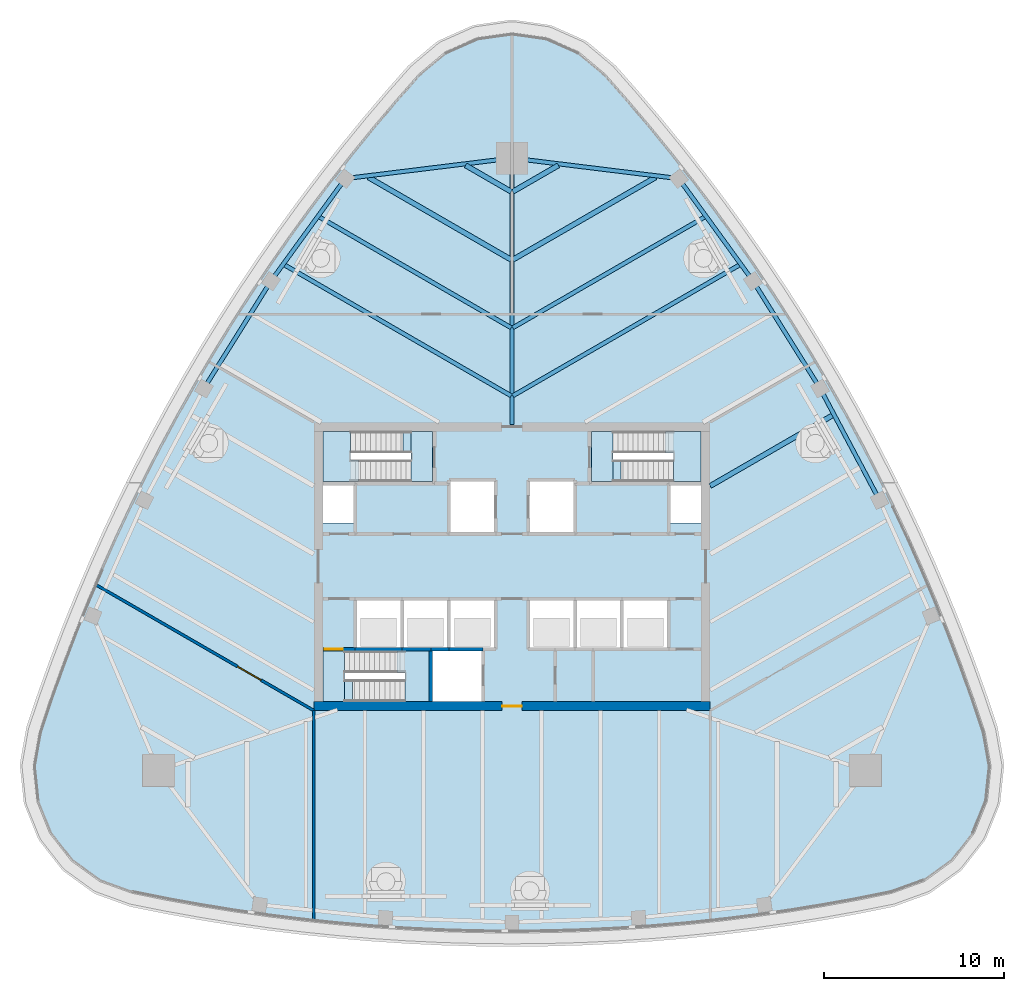
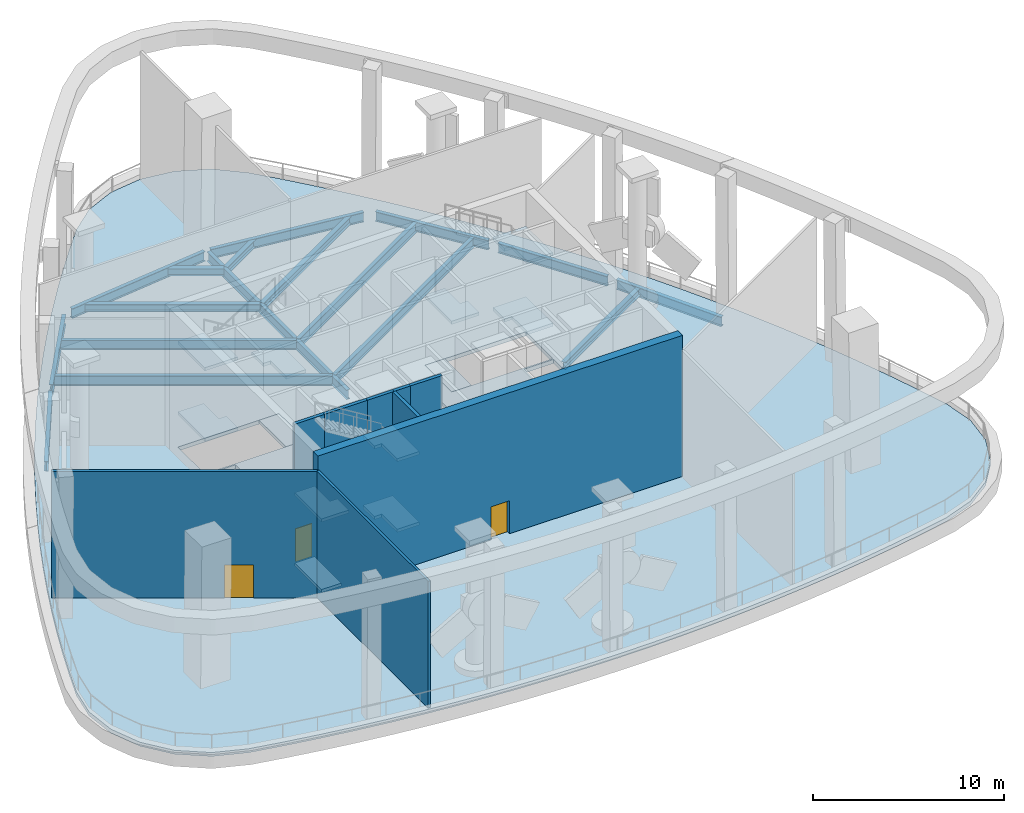
# One storey, part 2 of 12: 17 beams, 13 slabs, 9 walls, 3 doors, 3 openings, 3 elements without a shape of their own.
"""IFC4 building model written with IfcOpenShell, lengths in metres."""

from ifc_helpers import new_model, si_unit, direction, frame, frame_2d, origin, origin_2d, place, context, subcontext, project, spatial, polyline, rectangle, i_section, outline, extrude, material, layer, layer_set, material_profile, profile_set, type_object, element, fill, aggregate, save


model = new_model("IFC4")

# Units and contexts
model_context = context("Model", 3, precision=1e-05, world=origin(), true_north=direction((0.0, 1.0)))
body_context = subcontext(model_context, "Body", "Model", "MODEL_VIEW")
ifc_project = project(units=[si_unit("LENGTHUNIT", "METRE"), si_unit("AREAUNIT", "SQUARE_METRE"), si_unit("VOLUMEUNIT", "CUBIC_METRE"), si_unit("PLANEANGLEUNIT", "RADIAN"), si_unit("MASSUNIT", "GRAM", prefix="KILO")], contexts=[model_context])

# Site, building, storey
site_placement = place(None, origin())
site = spatial("IfcSite", under=ifc_project, at=site_placement, CompositionType="ELEMENT")
building_placement = place(site_placement, origin())
building = spatial("IfcBuilding", under=site, at=building_placement, Name="Sierra Prisma Convention Tower", CompositionType="ELEMENT")
storey_placement = place(building_placement, frame((0.0, 0.0, 330.39990234375)))
storey = spatial("IfcBuildingStorey", under=building, at=storey_placement, Name="L75", CompositionType="ELEMENT", Elevation=330.39990234375)

# Beams
ifc_material_1 = material(Name="Steel ASTM A992 Gr 50", Category="steel")
ifc_material_profile_1 = material_profile(ifc_material_1, i_section(OverallWidth=0.280029296875, OverallDepth=0.462890625, WebThickness=0.0107421875, FlangeThickness=0.017333984375, at=origin_2d()), Name="W460x113")
ifc_profile_set_1 = profile_set([ifc_material_profile_1], Name="Steel ASTM A992 Gr 50")
beam_type_1 = type_object("IfcBeamType", Name="Plant floor joist W460x113", PredefinedType="JOIST", material=ifc_profile_set_1)
beam_1_placement = place(storey_placement, frame((17.8125, 8.395751953125, -0.4814453125), z_axis=(-0.866017097294, -0.500014386988, 0.0), x_axis=(0.500014386988, -0.866017097294, 0.0)))
element("IfcBeam", 1, at=beam_1_placement, inside=storey, type_object=beam_type_1, Name="Floor joist L75 NE06", PredefinedType="JOIST", context=body_context, shape_type="SweptSolid", body=[
    extrude(i_section(OverallWidth=0.280029296875, OverallDepth=0.462890625, WebThickness=0.0107421875, FlangeThickness=0.017333984375, at=origin_2d()), origin(), (0.0, 0.0, 1.0), 7.866455078125),
])
beam_2_placement = place(storey_placement, frame((7.96875, 21.595947265625, -0.4814453125), z_axis=(-0.866022495181, -0.500005037815, 0.0), x_axis=(0.500005037815, -0.866022495181, 0.0)))
element("IfcBeam", 2, at=beam_2_placement, inside=storey, type_object=beam_type_1, Name="Floor joist L75 NE11", PredefinedType="JOIST", context=body_context, shape_type="SweptSolid", body=[
    extrude(i_section(OverallWidth=0.280029296875, OverallDepth=0.462890625, WebThickness=0.0107421875, FlangeThickness=0.017333984375, at=origin_2d()), origin(), (0.0, 0.0, 1.0), 9.14892578125),
])
for number, where, z_axis, x_axis, name in (
    (3, (2.57470703125, 22.258544921875, -0.4814453125), (-0.866017129727, -0.500014330814, 0.0), (0.500014330814, -0.866017129727, 0.0), "Floor joist L75 NE12"),
    (4, (-2.57470703125, 22.258544921875, -0.4814453125), (0.866017129727, -0.500014330814, 0.0), (0.500014330814, 0.866017129727, 0.0), "Floor joist L75 NW01"),
):
    element("IfcBeam", number, at=place(storey_placement, frame(where, z_axis=z_axis, x_axis=x_axis)), inside=storey, type_object=beam_type_1, Name=name, PredefinedType="JOIST", context=body_context, shape_type="SweptSolid", body=[
        extrude(i_section(OverallWidth=0.280029296875, OverallDepth=0.462890625, WebThickness=0.0107421875, FlangeThickness=0.017333984375, at=origin_2d()), origin(), (0.0, 0.0, 1.0), 2.92041015625),
    ])
beam_3_placement = place(storey_placement, frame((-7.96875, 21.595947265625, -0.4814453125), z_axis=(0.866022495181, -0.500005037815, 0.0), x_axis=(0.500005037815, 0.866022495181, 0.0)))
element("IfcBeam", 5, at=beam_3_placement, inside=storey, type_object=beam_type_1, Name="Floor joist L75 NW02", PredefinedType="JOIST", context=body_context, shape_type="SweptSolid", body=[
    extrude(i_section(OverallWidth=0.280029296875, OverallDepth=0.462890625, WebThickness=0.0107421875, FlangeThickness=0.017333984375, at=origin_2d()), origin(), (0.0, 0.0, 1.0), 9.14892578125),
])
ifc_material_2 = material(Name="Steel ASTM A992 Gr 50", Category="steel")
ifc_material_profile_2 = material_profile(ifc_material_2, i_section(OverallWidth=0.22900390625, OverallDepth=0.612060546875, WebThickness=0.011962890625, FlangeThickness=0.01953125, at=origin_2d()), Name="W610x125")
ifc_profile_set_2 = profile_set([ifc_material_profile_2], Name="Steel ASTM A992 Gr 50")
beam_type_2 = type_object("IfcBeamType", Name="Plant floor joist W610x125", PredefinedType="JOIST", material=ifc_profile_set_2)
beam_4_placement = place(storey_placement, frame((12.640625, 16.73974609375, -0.555908203125), z_axis=(-0.866024844342, -0.500000968981, 0.0), x_axis=(0.500000968981, -0.866024844342, 0.0)))
element("IfcBeam", 6, at=beam_4_placement, inside=storey, type_object=beam_type_2, Name="Floor joist L75 NE09", PredefinedType="JOIST", context=body_context, shape_type="SweptSolid", body=[
    extrude(i_section(OverallWidth=0.22900390625, OverallDepth=0.612060546875, WebThickness=0.011962890625, FlangeThickness=0.01953125, at=origin_2d()), origin(), (0.0, 0.0, 1.0), 14.54345703125),
])
for number, where, z_axis, x_axis, name in (
    (7, (10.710205078125, 19.402099609375, -0.555908203125), (-0.866023810954, -0.500002758854, 0.0), (0.500002758854, -0.866023810954, 0.0), "Floor joist L75 NE10"),
    (8, (-10.710205078125, 19.402099609375, -0.555908203125), (0.866023810954, -0.500002758854, 0.0), (0.500002758854, 0.866023810954, 0.0), "Floor joist L75 NW03"),
):
    element("IfcBeam", number, at=place(storey_placement, frame(where, z_axis=z_axis, x_axis=x_axis)), inside=storey, type_object=beam_type_2, Name=name, PredefinedType="JOIST", context=body_context, shape_type="SweptSolid", body=[
        extrude(i_section(OverallWidth=0.22900390625, OverallDepth=0.612060546875, WebThickness=0.011962890625, FlangeThickness=0.01953125, at=origin_2d()), origin(), (0.0, 0.0, 1.0), 12.314453125),
    ])
beam_5_placement = place(storey_placement, frame((-12.640625, 16.73974609375, -0.555908203125), z_axis=(0.866024844342, -0.500000968981, 0.0), x_axis=(0.500000968981, 0.866024844342, 0.0)))
element("IfcBeam", 9, at=beam_5_placement, inside=storey, type_object=beam_type_2, Name="Floor joist L75 NW04", PredefinedType="JOIST", context=body_context, shape_type="SweptSolid", body=[
    extrude(i_section(OverallWidth=0.22900390625, OverallDepth=0.612060546875, WebThickness=0.011962890625, FlangeThickness=0.01953125, at=origin_2d()), origin(), (0.0, 0.0, 1.0), 14.54345703125),
])
ifc_material_3 = material(Name="Steel ASTM A992 Gr 50", Category="steel")
ifc_material_profile_3 = material_profile(ifc_material_3, i_section(OverallWidth=0.22802734375, OverallDepth=0.60302734375, WebThickness=0.010498046875, FlangeThickness=0.014892578125, at=origin_2d()), Name="W610x101")
ifc_profile_set_3 = profile_set([ifc_material_profile_3], Name="Steel ASTM A992 Gr 50")
beam_type_3 = type_object("IfcBeamType", Name="Radial girder W610x101", PredefinedType="BEAM", material=ifc_profile_set_3)
beam_6_placement = place(storey_placement, frame((0.0, 22.480224609375, -0.551513671875), z_axis=(0.0, -1.0, 0.0), x_axis=(1.0, 0.0, 0.0)))
element("IfcBeam", 10, at=beam_6_placement, inside=storey, type_object=beam_type_3, Name="Radial girder L75 N", PredefinedType="BEAM", context=body_context, shape_type="SweptSolid", body=[
    extrude(i_section(OverallWidth=0.22802734375, OverallDepth=0.60302734375, WebThickness=0.010498046875, FlangeThickness=0.014892578125, at=origin_2d()), origin(), (0.0, 0.0, 1.0), 14.600341796875),
])
ifc_material_4 = material(Name="Steel ASTM A992 Gr 50", Category="steel")
ifc_material_profile_4 = material_profile(ifc_material_4, i_section(OverallWidth=0.22998046875, OverallDepth=0.616943359375, WebThickness=0.01318359375, FlangeThickness=0.022216796875, at=origin_2d()), Name="W610x140")
ifc_profile_set_4 = profile_set([ifc_material_profile_4], Name="Steel ASTM A992 Gr 50")
beam_type_4 = type_object("IfcBeamType", Name="Spandrel beam W610x140", PredefinedType="BEAM", material=ifc_profile_set_4)
beam_7_placement = place(storey_placement, frame((20.27001953125, 3.915771484375, -0.558349609375), z_axis=(-0.469733790887, 0.882808113748, 0.0), x_axis=(-0.882808113748, -0.469733790887, 0.0)))
element("IfcBeam", 11, at=beam_7_placement, inside=storey, type_object=beam_type_4, Name="Spandrel L75-09", PredefinedType="BEAM", context=body_context, shape_type="SweptSolid", body=[
    extrude(i_section(OverallWidth=0.22998046875, OverallDepth=0.616943359375, WebThickness=0.01318359375, FlangeThickness=0.022216796875, at=origin_2d()), origin(), (0.0, 0.0, 1.0), 6.4677734375),
])
beam_8_placement = place(storey_placement, frame((16.951904296875, 10.110595703125, -0.558349609375), z_axis=(-0.529679953111, 0.848197587401, 0.0), x_axis=(-0.848197587401, -0.529679953111, 0.0)))
element("IfcBeam", 12, at=beam_8_placement, inside=storey, type_object=beam_type_4, Name="Spandrel L75-10", PredefinedType="BEAM", context=body_context, shape_type="SweptSolid", body=[
    extrude(i_section(OverallWidth=0.22998046875, OverallDepth=0.616943359375, WebThickness=0.01318359375, FlangeThickness=0.022216796875, at=origin_2d()), origin(), (0.0, 0.0, 1.0), 6.467529296875),
])
beam_9_placement = place(storey_placement, frame((13.21337890625, 16.06103515625, -0.558349609375), z_axis=(-0.587039939266, 0.809557971801, 0.0), x_axis=(-0.809557971801, -0.587039939266, 0.0)))
element("IfcBeam", 13, at=beam_9_placement, inside=storey, type_object=beam_type_4, Name="Spandrel L75-11", PredefinedType="BEAM", context=body_context, shape_type="SweptSolid", body=[
    extrude(i_section(OverallWidth=0.22998046875, OverallDepth=0.616943359375, WebThickness=0.01318359375, FlangeThickness=0.022216796875, at=origin_2d()), origin(), (0.0, 0.0, 1.0), 6.4677734375),
])
for number, where, z_axis, x_axis, name in (
    (14, (8.810302734375, 21.578125, -0.558349609375), (-0.992540832888, 0.121912653363, 0.0), (-0.121912653363, -0.992540832888, 0.0), "Spandrel L75-12"),
    (15, (-0.179931640625, 22.63818359375, -0.558349609375), (-0.992540832888, -0.121912653363, 0.0), (0.121912653363, -0.992540832888, 0.0), "Spandrel L75-13"),
):
    element("IfcBeam", number, at=place(storey_placement, frame(where, z_axis=z_axis, x_axis=x_axis)), inside=storey, type_object=beam_type_4, Name=name, PredefinedType="BEAM", context=body_context, shape_type="SweptSolid", body=[
        extrude(i_section(OverallWidth=0.22998046875, OverallDepth=0.616943359375, WebThickness=0.01318359375, FlangeThickness=0.022216796875, at=origin_2d()), origin(), (0.0, 0.0, 1.0), 8.6953125),
    ])
beam_10_placement = place(storey_placement, frame((-9.41650390625, 21.297119140625, -0.558349609375), z_axis=(-0.587039939266, -0.809557971801, 0.0), x_axis=(0.809557971801, -0.587039939266, 0.0)))
element("IfcBeam", 16, at=beam_10_placement, inside=storey, type_object=beam_type_4, Name="Spandrel L75-14", PredefinedType="BEAM", context=body_context, shape_type="SweptSolid", body=[
    extrude(i_section(OverallWidth=0.22998046875, OverallDepth=0.616943359375, WebThickness=0.01318359375, FlangeThickness=0.022216796875, at=origin_2d()), origin(), (0.0, 0.0, 1.0), 6.4677734375),
])
beam_11_placement = place(storey_placement, frame((-13.526123046875, 15.596435546875, -0.558349609375), z_axis=(-0.529679953111, -0.848197587401, 0.0), x_axis=(0.848197587401, -0.529679953111, 0.0)))
element("IfcBeam", 17, at=beam_11_placement, inside=storey, type_object=beam_type_4, Name="Spandrel L75-15", PredefinedType="BEAM", context=body_context, shape_type="SweptSolid", body=[
    extrude(i_section(OverallWidth=0.22998046875, OverallDepth=0.616943359375, WebThickness=0.01318359375, FlangeThickness=0.022216796875, at=origin_2d()), origin(), (0.0, 0.0, 1.0), 6.467529296875),
])

# Slab
ifc_material_5 = material(Name="Concrete C35/45", Category="concrete")
ifc_layer_1 = layer(ifc_material_5, 0.25)
ifc_layer_set_1 = layer_set([ifc_layer_1], Name="Convention floor slab 250")
slab_type_1 = type_object("IfcSlabType", Name="Convention floor slab 250", PredefinedType="FLOOR", material=ifc_layer_set_1)
slab_1_placement = place(storey_placement, frame((0.0, 0.0, -0.25)))
element("IfcSlab", 18, at=slab_1_placement, inside=storey, type_object=slab_type_1, Name="Floor slab L75 floor", PredefinedType="FLOOR", context=body_context, shape_type="SweptSolid", body=[
    extrude(outline(polyline([(-21.06103515625, -18.15185546875), (-19.17041015625, -18.531494140625), (-17.27294921875, -18.87548828125), (-15.369140625, -19.183349609375), (-13.4599609375, -19.455322265625), (-11.546142578125, -19.69140625), (-9.6279296875, -19.89111328125), (-7.70654296875, -20.0546875), (-5.7822265625, -20.181884765625), (-3.85595703125, -20.27294921875), (-1.928466796875, -20.32763671875), (0.0, -20.345703125), (1.928466796875, -20.32763671875), (3.85595703125, -20.27294921875), (5.7822265625, -20.181884765625), (7.70654296875, -20.0546875), (9.6279296875, -19.89111328125), (11.546142578125, -19.69140625), (13.4599609375, -19.455322265625), (15.369140625, -19.183349609375), (17.27294921875, -18.87548828125), (19.17041015625, -18.531494140625), (21.06103515625, -18.15185546875), (22.8896484375, -17.489501953125), (24.464111328125, -16.347900390625), (25.661865234375, -14.81591796875), (26.389892578125, -13.012451171875), (26.59130859375, -11.078125), (26.25048828125, -9.16357421875), (25.634033203125, -7.33642578125), (24.98291015625, -5.52099609375), (24.2978515625, -3.718505859375), (23.578857421875, -1.928955078125), (22.826171875, -0.153564453125), (22.040283203125, 1.607421875), (21.22119140625, 3.353271484375), (20.369384765625, 5.083251953125), (19.48486328125, 6.797119140625), (18.568359375, 8.49365234375), (17.619873046875, 10.1728515625), (16.639892578125, 11.833740234375), (15.62890625, 13.475830078125), (14.5869140625, 15.0986328125), (13.5146484375, 16.701416015625), (12.412109375, 18.28369140625), (11.2802734375, 19.844970703125), (10.118896484375, 21.384521484375), (8.9287109375, 22.90185546875), (7.710205078125, 24.396484375), (6.463623046875, 25.867919921875), (5.189453125, 27.3154296875), (3.70166015625, 28.56787109375), (1.92578125, 29.3603515625), (0.0, 29.631591796875), (-1.92578125, 29.3603515625), (-3.70166015625, 28.56787109375), (-5.189453125, 27.3154296875), (-6.463623046875, 25.867919921875), (-7.710205078125, 24.396484375), (-8.9287109375, 22.90185546875), (-10.118896484375, 21.384521484375), (-11.2802734375, 19.844970703125), (-12.412109375, 18.28369140625), (-13.5146484375, 16.701416015625), (-14.5869140625, 15.0986328125), (-15.62890625, 13.475830078125), (-16.639892578125, 11.833740234375), (-17.619873046875, 10.1728515625), (-18.568359375, 8.49365234375), (-19.48486328125, 6.797119140625), (-20.369384765625, 5.083251953125), (-21.22119140625, 3.353271484375), (-22.040283203125, 1.607421875), (-22.826171875, -0.153564453125), (-23.578857421875, -1.928955078125), (-24.2978515625, -3.718505859375), (-24.98291015625, -5.52099609375), (-25.634033203125, -7.33642578125), (-26.25048828125, -9.16357421875), (-26.59130859375, -11.078125), (-26.389892578125, -13.012451171875), (-25.661865234375, -14.81591796875), (-24.464111328125, -16.347900390625), (-22.8896484375, -17.489501953125), (-21.06103515625, -18.15185546875)]), holes=[polyline([(-4.60009765625, -4.699951171875), (-4.60009765625, -7.5), (-10.5, -7.5), (-10.5, -4.699951171875), (-4.60009765625, -4.699951171875)]), polyline([(-4.5, -7.5), (-4.5, -4.60009765625), (-6.10009765625, -4.60009765625), (-8.699951171875, -4.60009765625), (-8.699951171875, -1.800048828125), (-6.10009765625, -1.800048828125), (-3.5, -1.800048828125), (-0.89990234375, -1.800048828125), (-0.89990234375, -4.60009765625), (-1.60009765625, -4.60009765625), (-1.60009765625, -7.5), (-4.5, -7.5)]), polyline([(-8.699951171875, 2.39990234375), (-10.5, 2.39990234375), (-10.5, 4.60009765625), (-8.699951171875, 4.60009765625), (-8.699951171875, 2.39990234375)]), polyline([(-4.39990234375, 4.699951171875), (-10.5, 4.699951171875), (-10.5, 7.5), (-4.39990234375, 7.5), (-4.39990234375, 4.699951171875)]), polyline([(3.5, -1.800048828125), (6.10009765625, -1.800048828125), (8.699951171875, -1.800048828125), (8.699951171875, -4.60009765625), (6.10009765625, -4.60009765625), (3.5, -4.60009765625), (0.89990234375, -4.60009765625), (0.89990234375, -1.800048828125), (3.5, -1.800048828125)]), polyline([(-0.89990234375, 1.800048828125), (-3.5, 1.800048828125), (-3.5, 4.800048828125), (-0.89990234375, 4.800048828125), (-0.89990234375, 1.800048828125)]), polyline([(3.5, 1.800048828125), (0.89990234375, 1.800048828125), (0.89990234375, 4.800048828125), (3.5, 4.800048828125), (3.5, 1.800048828125)]), polyline([(10.5, 2.39990234375), (8.699951171875, 2.39990234375), (8.699951171875, 4.60009765625), (10.5, 4.60009765625), (10.5, 2.39990234375)]), polyline([(10.5, 4.699951171875), (4.39990234375, 4.699951171875), (4.39990234375, 7.5), (10.5, 7.5), (10.5, 4.699951171875)])]), origin(), (0.0, 0.0, 1.0), 0.25),
])

# Stair, slabs
ifc_material_6 = material(Name="Concrete C30/37", Category="concrete")
stair_type = type_object("IfcStairType", Name="Stair dog-leg 1200 RC", PredefinedType="HALF_TURN_STAIR", material=ifc_material_6)
stair_1_placement = place(storey_placement, origin())
stair_1 = element("IfcStair", 19, at=stair_1_placement, inside=storey, type_object=stair_type, Name="L75 S1", PredefinedType="HALF_TURN_STAIR")
ifc_material_7 = material(Name="Concrete C35/45", Category="concrete")
ifc_layer_2 = layer(ifc_material_7, 0.199951171875)
ifc_layer_set_2 = layer_set([ifc_layer_2], Name="Stair landing slab")
slab_type_2 = type_object("IfcSlabType", Name="Stair landing slab", PredefinedType="LANDING", material=ifc_layer_set_2)
slab_2_placement = place(storey_placement, frame((0.0, 0.0, 2.050048828125)))
slab_2 = element("IfcSlab", 20, at=slab_2_placement, type_object=slab_type_2, Name="S1 landing 1", PredefinedType="LANDING", context=body_context, shape_type="SweptSolid", body=[
    extrude(outline(polyline([(-4.60009765625, -4.699951171875), (-4.60009765625, -7.5), (-5.94189453125, -7.5), (-5.94189453125, -5.89990234375), (-6.389892578125, -5.89990234375), (-6.389892578125, -4.699951171875), (-4.60009765625, -4.699951171875)])), origin(), (0.0, 0.0, 1.0), 0.199951171875),
])
slab_3_placement = place(storey_placement, frame((0.0, 0.0, 4.300048828125)))
slab_3 = element("IfcSlab", 21, at=slab_3_placement, type_object=slab_type_2, Name="S1 landing 2", PredefinedType="LANDING", context=body_context, shape_type="SweptSolid", body=[
    extrude(outline(polyline([(-10.5, -7.5), (-10.5, -4.699951171875), (-9.298095703125, -4.699951171875), (-9.298095703125, -6.300048828125), (-8.85009765625, -6.300048828125), (-8.85009765625, -7.5), (-10.5, -7.5)])), origin(), (0.0, 0.0, 1.0), 0.199951171875),
])
slab_4_placement = place(storey_placement, frame((0.0, 0.0, 6.550048828125)))
slab_4 = element("IfcSlab", 22, at=slab_4_placement, type_object=slab_type_2, Name="S1 landing 3", PredefinedType="LANDING", context=body_context, shape_type="SweptSolid", body=[
    extrude(outline(polyline([(-4.60009765625, -4.699951171875), (-4.60009765625, -7.5), (-5.94189453125, -7.5), (-5.94189453125, -5.89990234375), (-6.389892578125, -5.89990234375), (-6.389892578125, -4.699951171875), (-4.60009765625, -4.699951171875)])), origin(), (0.0, 0.0, 1.0), 0.199951171875),
])
aggregate(stair_1, [slab_2, slab_3, slab_4])

# Slab
slab_5_placement = place(storey_placement, frame((0.0, 0.0, -0.199951171875)))
element("IfcSlab", 23, at=slab_5_placement, inside=storey, type_object=slab_type_2, Name="S1 floor landing L75", PredefinedType="LANDING", context=body_context, shape_type="SweptSolid", body=[
    extrude(outline(polyline([(-10.5, -7.5), (-9.298095703125, -7.5), (-9.298095703125, -4.699951171875), (-10.5, -4.699951171875), (-10.5, -7.5)])), origin(), (0.0, 0.0, 1.0), 0.199951171875),
])

# Stair, slabs
stair_2_placement = place(storey_placement, origin())
stair_2 = element("IfcStair", 24, at=stair_2_placement, inside=storey, type_object=stair_type, Name="L75 S3", PredefinedType="HALF_TURN_STAIR")
slab_6_placement = place(storey_placement, frame((0.0, 0.0, 2.050048828125)))
slab_6 = element("IfcSlab", 25, at=slab_6_placement, type_object=slab_type_2, Name="S3 landing 1", PredefinedType="LANDING", context=body_context, shape_type="SweptSolid", body=[
    extrude(outline(polyline([(-8.510009765625, 5.89990234375), (-8.510009765625, 4.699951171875), (-10.5, 4.699951171875), (-10.5, 7.5), (-8.9580078125, 7.5), (-8.9580078125, 5.89990234375), (-8.510009765625, 5.89990234375)])), origin(), (0.0, 0.0, 1.0), 0.199951171875),
])
slab_7_placement = place(storey_placement, frame((0.0, 0.0, 4.300048828125)))
slab_7 = element("IfcSlab", 26, at=slab_7_placement, type_object=slab_type_2, Name="S3 landing 2", PredefinedType="LANDING", context=body_context, shape_type="SweptSolid", body=[
    extrude(outline(polyline([(-4.39990234375, 7.5), (-4.39990234375, 4.699951171875), (-5.60205078125, 4.699951171875), (-5.60205078125, 6.300048828125), (-6.050048828125, 6.300048828125), (-6.050048828125, 7.5), (-4.39990234375, 7.5)])), origin(), (0.0, 0.0, 1.0), 0.199951171875),
])
slab_8_placement = place(storey_placement, frame((0.0, 0.0, 6.550048828125)))
slab_8 = element("IfcSlab", 27, at=slab_8_placement, type_object=slab_type_2, Name="S3 landing 3", PredefinedType="LANDING", context=body_context, shape_type="SweptSolid", body=[
    extrude(outline(polyline([(-8.510009765625, 5.89990234375), (-8.510009765625, 4.699951171875), (-10.5, 4.699951171875), (-10.5, 7.5), (-8.9580078125, 7.5), (-8.9580078125, 5.89990234375), (-8.510009765625, 5.89990234375)])), origin(), (0.0, 0.0, 1.0), 0.199951171875),
])
aggregate(stair_2, [slab_6, slab_7, slab_8])

# Slab
slab_9_placement = place(storey_placement, frame((0.0, 0.0, -0.199951171875)))
element("IfcSlab", 28, at=slab_9_placement, inside=storey, type_object=slab_type_2, Name="S3 floor landing L75", PredefinedType="LANDING", context=body_context, shape_type="SweptSolid", body=[
    extrude(outline(polyline([(-4.39990234375, 7.5), (-5.60205078125, 7.5), (-5.60205078125, 4.699951171875), (-4.39990234375, 4.699951171875), (-4.39990234375, 7.5)])), origin(), (0.0, 0.0, 1.0), 0.199951171875),
])

# Stair, slabs
stair_3_placement = place(storey_placement, origin())
stair_3 = element("IfcStair", 29, at=stair_3_placement, inside=storey, type_object=stair_type, Name="L75 S4", PredefinedType="HALF_TURN_STAIR")
slab_10_placement = place(storey_placement, frame((0.0, 0.0, 2.050048828125)))
slab_10 = element("IfcSlab", 30, at=slab_10_placement, type_object=slab_type_2, Name="S4 landing 1", PredefinedType="LANDING", context=body_context, shape_type="SweptSolid", body=[
    extrude(outline(polyline([(10.5, 7.5), (10.5, 4.699951171875), (8.9580078125, 4.699951171875), (8.9580078125, 6.300048828125), (8.510009765625, 6.300048828125), (8.510009765625, 7.5), (10.5, 7.5)])), origin(), (0.0, 0.0, 1.0), 0.199951171875),
])
slab_11_placement = place(storey_placement, frame((0.0, 0.0, 4.300048828125)))
slab_11 = element("IfcSlab", 31, at=slab_11_placement, type_object=slab_type_2, Name="S4 landing 2", PredefinedType="LANDING", context=body_context, shape_type="SweptSolid", body=[
    extrude(outline(polyline([(4.39990234375, 4.699951171875), (4.39990234375, 7.5), (5.60205078125, 7.5), (5.60205078125, 5.89990234375), (6.050048828125, 5.89990234375), (6.050048828125, 4.699951171875), (4.39990234375, 4.699951171875)])), origin(), (0.0, 0.0, 1.0), 0.199951171875),
])
slab_12_placement = place(storey_placement, frame((0.0, 0.0, 6.550048828125)))
slab_12 = element("IfcSlab", 32, at=slab_12_placement, type_object=slab_type_2, Name="S4 landing 3", PredefinedType="LANDING", context=body_context, shape_type="SweptSolid", body=[
    extrude(outline(polyline([(10.5, 7.5), (10.5, 4.699951171875), (8.9580078125, 4.699951171875), (8.9580078125, 6.300048828125), (8.510009765625, 6.300048828125), (8.510009765625, 7.5), (10.5, 7.5)])), origin(), (0.0, 0.0, 1.0), 0.199951171875),
])
aggregate(stair_3, [slab_10, slab_11, slab_12])

# Slab
slab_13_placement = place(storey_placement, frame((0.0, 0.0, -0.199951171875)))
element("IfcSlab", 33, at=slab_13_placement, inside=storey, type_object=slab_type_2, Name="S4 floor landing L75", PredefinedType="LANDING", context=body_context, shape_type="SweptSolid", body=[
    extrude(outline(polyline([(4.39990234375, 4.699951171875), (5.60205078125, 4.699951171875), (5.60205078125, 7.5), (4.39990234375, 7.5), (4.39990234375, 4.699951171875)])), origin(), (0.0, 0.0, 1.0), 0.199951171875),
])

# Wall, opening, door
ifc_material_8 = material(Name="Concrete C30/37", Category="concrete")
ifc_layer_3 = layer(ifc_material_8, 0.199951171875)
ifc_layer_set_3 = layer_set([ifc_layer_3], Name="Core wall RC 200 C30/37")
wall_type_1 = type_object("IfcWallType", Name="Core wall RC 200 C30/37", PredefinedType="SOLIDWALL", material=ifc_layer_set_3)
wall_1_placement = place(storey_placement, frame((-10.5, -4.60009765625, 0.0), z_axis=(0.0, 0.0, 1.0), x_axis=(1.0, 0.0, 0.0)))
wall_1 = element("IfcWall", 34, at=wall_1_placement, inside=storey, type_object=wall_type_1, Name="Core wall L75 1", PredefinedType="SOLIDWALL", context=body_context, shape_type="SweptSolid", body=[
    extrude(rectangle(XDim=1.800048828125, YDim=0.199951171875, at=frame_2d((0.89990234375, 0.0))), origin(), (0.0, 0.0, 1.0), 8.85009765625),
])
opening_1_placement = place(wall_1_placement, frame((0.10009765625, 0.0, 0.0)))
opening_1 = element("IfcOpeningElement", 35, at=opening_1_placement, cuts=wall_1, Name="Opening L75-D009", PredefinedType="OPENING", context=body_context, shape_type="SweptSolid", body=[
    extrude(rectangle(XDim=1.0, YDim=2.10009765625, at=frame_2d((0.5, 1.050048828125))), frame((0.0, 0.10009765625, 0.0), z_axis=(0.0, -1.0, 0.0), x_axis=(1.0, 0.0, 0.0)), (0.0, 0.0, 1.0), 0.199951171875),
])
ifc_material_9 = material(Name="Steel fire door leaf", Category="steel")
door_type_1 = type_object("IfcDoorType", Name="Door 1000x2100 FD90S", OperationType="SINGLE_SWING_LEFT", PredefinedType="DOOR", material=ifc_material_9)
door_1_placement = place(opening_1_placement, origin())
door_1 = element("IfcDoor", 36, at=door_1_placement, inside=storey, type_object=door_type_1, Name="Door L75 13", OperationType="SINGLE_SWING_LEFT", OverallHeight=2.10009765625, OverallWidth=1.0, PredefinedType="DOOR", context=body_context, shape_type="SweptSolid", body=[
    extrude(rectangle(XDim=1.0, YDim=2.10009765625, at=frame_2d((0.5, 1.050048828125))), frame((0.0, 0.02490234375, 0.0), z_axis=(0.0, -1.0, 0.0), x_axis=(1.0, 0.0, 0.0)), (0.0, 0.0, 1.0), 0.050048828125),
])
fill(opening_1, door_1)

# Walls
wall_2_placement = place(storey_placement, frame((-8.699951171875, -4.60009765625, 0.0), z_axis=(0.0, 0.0, 1.0), x_axis=(1.0, 0.0, 0.0)))
element("IfcWall", 37, at=wall_2_placement, inside=storey, type_object=wall_type_1, Name="Core wall L75 5", PredefinedType="SOLIDWALL", context=body_context, shape_type="SweptSolid", body=[
    extrude(rectangle(XDim=2.599853515625, YDim=0.199951171875, at=frame_2d((1.2998046875, 0.0))), origin(), (0.0, 0.0, 1.0), 8.85009765625),
])
wall_3_placement = place(storey_placement, frame((-6.10009765625, -4.60009765625, 0.0), z_axis=(0.0, 0.0, 1.0), x_axis=(1.0, 0.0, 0.0)))
element("IfcWall", 38, at=wall_3_placement, inside=storey, type_object=wall_type_1, Name="Core wall L75 11", PredefinedType="SOLIDWALL", context=body_context, shape_type="SweptSolid", body=[
    extrude(rectangle(XDim=1.60009765625, YDim=0.199951171875, at=frame_2d((0.800048828125, 0.0))), origin(), (0.0, 0.0, 1.0), 8.85009765625),
])
wall_4_placement = place(storey_placement, frame((-4.5, -4.60009765625, 0.0), z_axis=(0.0, 0.0, 1.0), x_axis=(0.0, -1.0, 0.0)))
element("IfcWall", 39, at=wall_4_placement, inside=storey, type_object=wall_type_1, Name="Core wall L75 14", PredefinedType="SOLIDWALL", context=body_context, shape_type="SweptSolid", body=[
    extrude(rectangle(XDim=2.89990234375, YDim=0.199951171875, at=frame_2d((1.449951171875, 0.0))), origin(), (0.0, 0.0, 1.0), 8.85009765625),
])
wall_5_placement = place(storey_placement, frame((-4.5, -4.60009765625, 0.0), z_axis=(0.0, 0.0, 1.0), x_axis=(1.0, 0.0, 0.0)))
element("IfcWall", 40, at=wall_5_placement, inside=storey, type_object=wall_type_1, Name="Core wall L75 15", PredefinedType="SOLIDWALL", context=body_context, shape_type="SweptSolid", body=[
    extrude(rectangle(XDim=1.0, YDim=0.199951171875, at=frame_2d((0.5, 0.0))), origin(), (0.0, 0.0, 1.0), 8.85009765625),
])
wall_6_placement = place(storey_placement, frame((-3.5, -4.60009765625, 0.0), z_axis=(0.0, 0.0, 1.0), x_axis=(1.0, 0.0, 0.0)))
element("IfcWall", 41, at=wall_6_placement, inside=storey, type_object=wall_type_1, Name="Core wall L75 18", PredefinedType="SOLIDWALL", context=body_context, shape_type="SweptSolid", body=[
    extrude(rectangle(XDim=1.89990234375, YDim=0.199951171875, at=frame_2d((0.949951171875, 0.0))), origin(), (0.0, 0.0, 1.0), 8.85009765625),
])

# Wall, opening, door
ifc_material_10 = material(Name="Concrete C50/60", Category="concrete")
ifc_layer_4 = layer(ifc_material_10, 0.5)
ifc_layer_set_4 = layer_set([ifc_layer_4], Name="Core wall RC 500 C50/60")
wall_type_2 = type_object("IfcWallType", Name="Core wall RC 500 C50/60", PredefinedType="SHEAR", material=ifc_layer_set_4)
wall_7_placement = place(storey_placement, frame((-11.0, -7.75, 0.0), z_axis=(0.0, 0.0, 1.0), x_axis=(1.0, 0.0, 0.0)))
wall_7 = element("IfcWall", 42, at=wall_7_placement, inside=storey, type_object=wall_type_2, Name="Core wall S L75", PredefinedType="SHEAR", context=body_context, shape_type="SweptSolid", body=[
    extrude(rectangle(XDim=22.0, YDim=0.5, at=frame_2d((11.0, 0.0))), origin(), (0.0, 0.0, 1.0), 9.0),
])
opening_2_placement = place(wall_7_placement, frame((10.449951171875, 0.0, 0.0)))
opening_2 = element("IfcOpeningElement", 43, at=opening_2_placement, cuts=wall_7, Name="Opening L75-D023", PredefinedType="OPENING", context=body_context, shape_type="SweptSolid", body=[
    extrude(rectangle(XDim=1.10009765625, YDim=2.10009765625, at=frame_2d((0.550048828125, 1.050048828125))), frame((0.0, 0.25, 0.0), z_axis=(0.0, -1.0, 0.0), x_axis=(1.0, 0.0, 0.0)), (0.0, 0.0, 1.0), 0.5),
])
ifc_material_11 = material(Name="Steel fire door leaf", Category="steel")
door_type_2 = type_object("IfcDoorType", Name="Door 1100x2100 FD30S", OperationType="SINGLE_SWING_LEFT", PredefinedType="DOOR", material=ifc_material_11)
door_2_placement = place(opening_2_placement, origin())
door_2 = element("IfcDoor", 44, at=door_2_placement, inside=storey, type_object=door_type_2, Name="Door L75 24", OperationType="SINGLE_SWING_RIGHT", OverallHeight=2.10009765625, OverallWidth=1.10009765625, PredefinedType="DOOR", context=body_context, shape_type="SweptSolid", body=[
    extrude(rectangle(XDim=1.10009765625, YDim=2.10009765625, at=frame_2d((0.550048828125, 1.050048828125))), frame((0.0, 0.02490234375, 0.0), z_axis=(0.0, -1.0, 0.0), x_axis=(1.0, 0.0, 0.0)), (0.0, 0.0, 1.0), 0.050048828125),
])
fill(opening_2, door_2)

ifc_material_12 = material(Name="Gypsum board partition", Category="gypsum")
ifc_layer_5 = layer(ifc_material_12, 0.14990234375)
ifc_layer_set_5 = layer_set([ifc_layer_5], Name="Party wall 150 gypsum")
wall_type_3 = type_object("IfcWallType", Name="Party wall 150 gypsum", PredefinedType="PARTITIONING", material=ifc_layer_set_5)
wall_8_placement = place(storey_placement, frame((-23.068359375, -1.0322265625, 0.0), z_axis=(0.0, 0.0, 1.0), x_axis=(0.866022206254, -0.500005538244, 0.0)))
wall_8 = element("IfcWall", 45, at=wall_8_placement, inside=storey, type_object=wall_type_3, Name="Partition L75 party 1", PredefinedType="PARTITIONING", context=body_context, shape_type="SweptSolid", body=[
    extrude(rectangle(XDim=13.935302734375, YDim=0.14990234375, at=frame_2d((6.9677734375, 0.0))), origin(), (0.0, 0.0, 1.0), 8.0830078125),
])
opening_3_placement = place(wall_8_placement, frame((9.05322265625, 0.0, 0.0)))
opening_3 = element("IfcOpeningElement", 46, at=opening_3_placement, cuts=wall_8, Name="Opening L75-D020", PredefinedType="OPENING", context=body_context, shape_type="SweptSolid", body=[
    extrude(rectangle(XDim=1.5, YDim=2.10009765625, at=frame_2d((0.75, 1.050048828125))), frame((0.0, 0.074951171875, 0.0), z_axis=(0.0, -1.0, 0.0), x_axis=(1.0, 0.0, 0.0)), (0.0, 0.0, 1.0), 0.14990234375),
])
ifc_material_13 = material(Name="Steel fire door leaf", Category="steel")
door_type_3 = type_object("IfcDoorType", Name="Door 1500x2100 FD30S", OperationType="DOUBLE_DOOR_SINGLE_SWING", PredefinedType="DOOR", material=ifc_material_13)
door_3_placement = place(opening_3_placement, origin())
door_3 = element("IfcDoor", 47, at=door_3_placement, inside=storey, type_object=door_type_3, Name="Door L75 4", OperationType="DOUBLE_DOOR_SINGLE_SWING", OverallHeight=2.10009765625, OverallWidth=1.5, PredefinedType="DOOR", context=body_context, shape_type="SweptSolid", body=[
    extrude(rectangle(XDim=1.5, YDim=2.10009765625, at=frame_2d((0.75, 1.050048828125))), frame((0.0, 0.02490234375, 0.0), z_axis=(0.0, -1.0, 0.0), x_axis=(1.0, 0.0, 0.0)), (0.0, 0.0, 1.0), 0.050048828125),
])
fill(opening_3, door_3)

# Wall
wall_9_placement = place(storey_placement, frame((-11.0, -8.0, 0.0), z_axis=(0.0, 0.0, 1.0), x_axis=(0.0, -1.0, 0.0)))
element("IfcWall", 48, at=wall_9_placement, inside=storey, type_object=wall_type_3, Name="Partition L75 party 2", PredefinedType="PARTITIONING", context=body_context, shape_type="SweptSolid", body=[
    extrude(rectangle(XDim=11.627685546875, YDim=0.14990234375, at=frame_2d((5.81396484375, 0.0))), origin(), (0.0, 0.0, 1.0), 8.0830078125),
])

save(model, "model.ifc")
